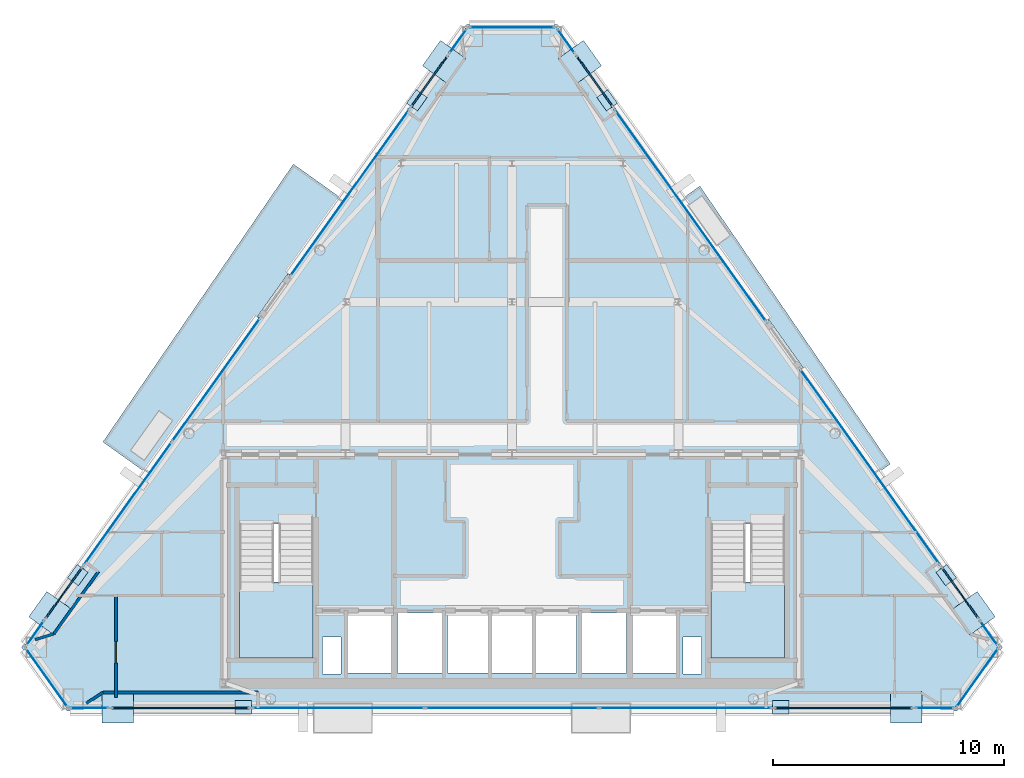
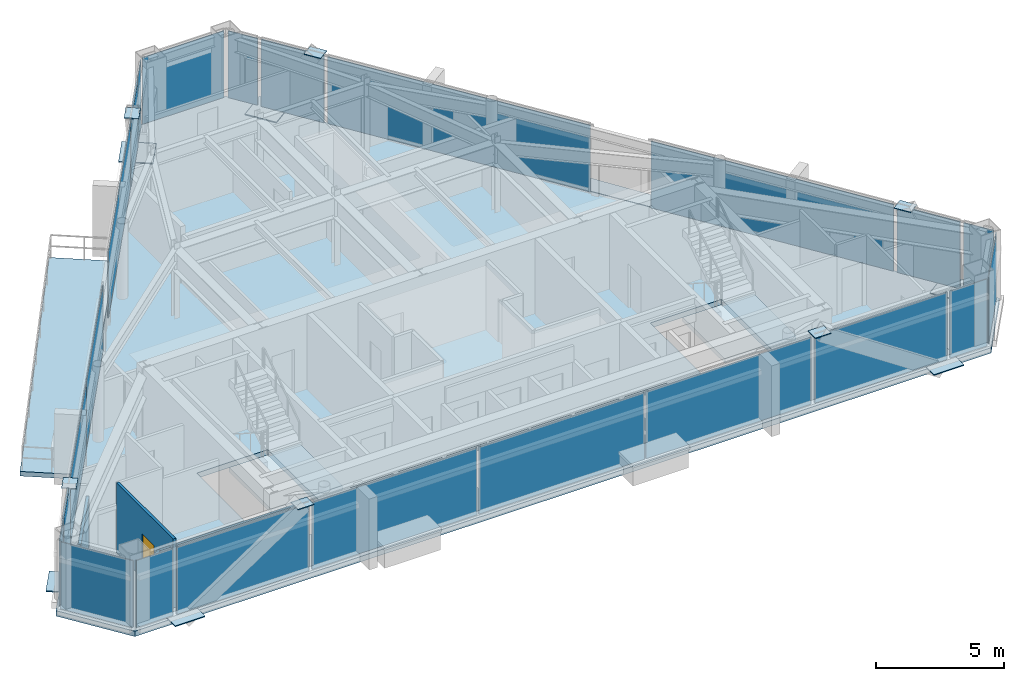
# One storey, part 7 of 12: 35 plates, 5 slabs, 5 walls, 1 door, 1 opening, 22 elements without a shape of their own.
"""IFC4 building model written with IfcOpenShell, lengths in metres."""

import ifcopenshell
import ifcopenshell.guid

model = None  # the IFC model being written
_history = None  # IfcOwnerHistory: only IFC2X3 demands one
_inside = {}  # id of a spatial element -> (the spatial element, [elements in it])
_under = {}  # id of a project, library or spatial element -> (it, [spatial elements below it])
_declared = {}  # id of a project -> (the project, [libraries it declares])
_typed = {}  # id of a type object -> (the type object, [elements of that type])
_made_of = {}  # id of a material, layer set ... -> (it, [elements and type objects made of it])


def new_model(schema):
    """Start an empty IFC model of exactly this schema.

    Asked for "IFC4X3", IfcOpenShell would pick the latest addendum, in which some entities
    have other attributes; the version numbers below select the first issue.
    IFC2X3 requires an IfcOwnerHistory on every rooted entity: one is made here for all.
    """
    global model, _history
    if schema == "IFC4X3":
        model = ifcopenshell.file(schema_version=(4, 3, 0, 0))
    else:
        model = ifcopenshell.file(schema=schema)
    _inside.clear()
    _under.clear()
    _declared.clear()
    _typed.clear()
    _made_of.clear()
    _history = None
    if model.schema == "IFC2X3":
        org = make("IfcOrganization", Name="unknown")
        user = make(
            "IfcPersonAndOrganization",
            ThePerson=make("IfcPerson", FamilyName="unknown"),
            TheOrganization=org,
        )
        app = make(
            "IfcApplication",
            ApplicationDeveloper=org,
            Version="unknown",
            ApplicationFullName="unknown",
            ApplicationIdentifier="unknown",
        )
        _history = make(
            "IfcOwnerHistory",
            OwningUser=user,
            OwningApplication=app,
            ChangeAction="ADDED",
            CreationDate=0,
        )
    return model


def make(cls, **values):
    """One entity of the class cls with the attributes given. An attribute that is None is left unset."""
    return model.create_entity(
        cls, **{name: value for name, value in values.items() if value is not None}
    )


def rooted(cls, **values):
    """An entity with a GlobalId (a new one), such as an element, a storey or a relation."""
    return make(cls, GlobalId=ifcopenshell.guid.new(), OwnerHistory=_history, **values)


def si_unit(unit_type, name, prefix=None):
    """IfcSIUnit, for example si_unit("LENGTHUNIT", "METRE", prefix="MILLI")."""
    return make("IfcSIUnit", UnitType=unit_type, Prefix=prefix, Name=name)


def assignment(units):
    """IfcUnitAssignment: the units of a project."""
    return None if units is None else make("IfcUnitAssignment", Units=units)


def point(xyz):
    """IfcCartesianPoint."""
    return None if xyz is None else make("IfcCartesianPoint", Coordinates=xyz)


def direction(xyz):
    """IfcDirection."""
    return None if xyz is None else make("IfcDirection", DirectionRatios=xyz)


def frame(location, z_axis=None, x_axis=None):
    """IfcAxis2Placement3D, a coordinate frame: its origin and axes. An axis left out is left unset."""
    return make(
        "IfcAxis2Placement3D",
        Location=point(location),
        Axis=direction(z_axis),
        RefDirection=direction(x_axis),
    )


def frame_2d(location, x_axis=None):
    """IfcAxis2Placement2D, a coordinate frame in the plane: its origin and x axis."""
    return make(
        "IfcAxis2Placement2D", Location=point(location), RefDirection=direction(x_axis)
    )


def origin():
    """The frame at (0, 0, 0) with its axes left unset."""
    return frame((0.0, 0.0, 0.0))


def origin_2d():
    """The frame at (0, 0) in the plane with its x axis left unset."""
    return frame_2d((0.0, 0.0))


def place(relative_to, where):
    """IfcLocalPlacement: puts the frame where relative to a parent placement (None: the world)."""
    return make(
        "IfcLocalPlacement", PlacementRelTo=relative_to, RelativePlacement=where
    )


def context(
    kind, dimensions, precision=None, world=None, true_north=None, identifier=None
):
    """IfcGeometricRepresentationContext, for example the 3D "Model" context."""
    return make(
        "IfcGeometricRepresentationContext",
        ContextIdentifier=identifier,
        ContextType=kind,
        CoordinateSpaceDimension=dimensions,
        Precision=precision,
        WorldCoordinateSystem=world,
        TrueNorth=true_north,
    )


def subcontext(parent, identifier, kind, view, scale=None):
    """IfcGeometricRepresentationSubContext, for example "Body" below "Model"."""
    return make(
        "IfcGeometricRepresentationSubContext",
        ContextIdentifier=identifier,
        ContextType=kind,
        ParentContext=parent,
        TargetScale=scale,
        TargetView=view,
    )


def project(units=None, contexts=None):
    """IfcProject with its units and contexts."""
    return rooted(
        "IfcProject",
        Name="project",
        RepresentationContexts=contexts,
        UnitsInContext=assignment(units),
    )


def spatial(cls, under=None, at=None, **own):
    """A site, building, storey or space (cls), placed at a placement, below another one or the project."""
    s = rooted(cls, ObjectPlacement=at, **own)
    if under is not None:
        _under.setdefault(under.id(), (under, []))[1].append(s)
    return s


def polyline(points):
    """IfcPolyline through the points."""
    return make("IfcPolyline", Points=[point(p) for p in points])


def profile(cls, at=None, kind="AREA", **sizes):
    """A parametric profile (cls). Its sizes go by their IFC names, for example OverallWidth=200.0."""
    return make(cls, ProfileType=kind, Position=at, **sizes)


def rectangle(**sizes):
    """IfcRectangleProfileDef."""
    return profile("IfcRectangleProfileDef", **sizes)


def outline(outer, holes=None, kind="AREA"):
    """IfcArbitraryClosedProfileDef: a profile drawn as a closed curve; with holes, ...WithVoids."""
    if holes is None:
        return make("IfcArbitraryClosedProfileDef", ProfileType=kind, OuterCurve=outer)
    return make(
        "IfcArbitraryProfileDefWithVoids",
        ProfileType=kind,
        OuterCurve=outer,
        InnerCurves=holes,
    )


def extrude(swept, where, along, depth):
    """IfcExtrudedAreaSolid: the profile swept, set in the frame where, extruded along a direction by depth."""
    return make(
        "IfcExtrudedAreaSolid",
        SweptArea=swept,
        Position=where,
        ExtrudedDirection=direction(along),
        Depth=depth,
    )


def shape(context_of_items, identifier, shape_type, items):
    """IfcShapeRepresentation: the items that make up one representation, for example the "Body"."""
    return make(
        "IfcShapeRepresentation",
        ContextOfItems=context_of_items,
        RepresentationIdentifier=identifier,
        RepresentationType=shape_type,
        Items=items,
    )


def source(mapping_origin, context_of_items, identifier, shape_type, items):
    """IfcRepresentationMap: a shape defined once, which mapped items show again and again."""
    return make(
        "IfcRepresentationMap",
        MappingOrigin=mapping_origin,
        MappedRepresentation=shape(context_of_items, identifier, shape_type, items),
    )


def transform(
    local_origin,
    x_axis=None,
    y_axis=None,
    z_axis=None,
    scale=None,
    scale2=None,
    scale3=None,
    uniform=True,
):
    """IfcCartesianTransformationOperator3D, or its non-uniform kind. x_axis, y_axis, z_axis: its Axis1, 2, 3."""
    if uniform:
        return make(
            "IfcCartesianTransformationOperator3D",
            Axis1=direction(x_axis),
            Axis2=direction(y_axis),
            LocalOrigin=point(local_origin),
            Scale=scale,
            Axis3=direction(z_axis),
        )
    return make(
        "IfcCartesianTransformationOperator3DnonUniform",
        Axis1=direction(x_axis),
        Axis2=direction(y_axis),
        LocalOrigin=point(local_origin),
        Scale=scale,
        Axis3=direction(z_axis),
        Scale2=scale2,
        Scale3=scale3,
    )


def mapped(mapping_source, mapping_target):
    """IfcMappedItem: shows the shape of a source again, moved by a transform."""
    return make(
        "IfcMappedItem", MappingSource=mapping_source, MappingTarget=mapping_target
    )


def material(Name=None, Category=None):
    """IfcMaterial."""
    return make("IfcMaterial", Name=Name, Category=Category)


def layer(
    of_material, thickness, ventilated=None, Name=None, Category=None, Priority=None
):
    """IfcMaterialLayer: one layer of a wall or slab, of a material (None: an air gap)."""
    return make(
        "IfcMaterialLayer",
        Material=of_material,
        LayerThickness=thickness,
        IsVentilated=ventilated,
        Name=Name,
        Category=Category,
        Priority=Priority,
    )


def layer_set(layers, Name=None):
    """IfcMaterialLayerSet."""
    return make("IfcMaterialLayerSet", MaterialLayers=layers, LayerSetName=Name)


def made_of(thing, what):
    """Note that an element or type object is made of a material, layer set ...; save() writes the relation."""
    if what is not None:
        _made_of.setdefault(what.id(), (what, []))[1].append(thing)
    return thing


def type_object(cls, material=None, **own):
    """A type object (cls), such as IfcWallType, which elements share."""
    return made_of(rooted(cls, **own), material)


def type_shapes(of_type, sources):
    """Give a type object the sources (RepresentationMaps) that its elements show as mapped items."""
    of_type.RepresentationMaps = sources


def element(
    cls,
    number,
    at=None,
    inside=None,
    cuts=None,
    type_object=None,
    material=None,
    context=None,
    identifier="Body",
    shape_type=None,
    held_by="IfcProductDefinitionShape",
    body=None,
    shapes=None,
    **own,
):
    """One element of the class cls, such as IfcWall. Its Tag is "e" and its number.

    at: its placement. inside: the storey or other place that contains it. cuts: it is an
    opening in that element (IfcRelVoidsElement). A single representation is given by context,
    identifier, shape_type and body (its items); several are given by shapes. held_by: the class
    of the entity that holds the representations. save() writes the other relations.
    """
    e = rooted(cls, Tag="e%d" % number, ObjectPlacement=at, **own)
    if body is not None:
        shapes = [shape(context, identifier, shape_type, body)]
    if shapes is not None:
        e.Representation = make(held_by, Representations=shapes)
    if inside is not None:
        _inside.setdefault(inside.id(), (inside, []))[1].append(e)
    if cuts is not None:
        rooted(
            "IfcRelVoidsElement", RelatingBuildingElement=cuts, RelatedOpeningElement=e
        )
    if type_object is not None:
        _typed.setdefault(type_object.id(), (type_object, []))[1].append(e)
    return made_of(e, material)


def fill(opening, filler):
    """IfcRelFillsElement: the door or window that sits in an opening."""
    return rooted(
        "IfcRelFillsElement",
        RelatingOpeningElement=opening,
        RelatedBuildingElement=filler,
    )


def aggregate(whole, parts):
    """IfcRelAggregates: a whole, such as a stair, and the parts it consists of."""
    return rooted("IfcRelAggregates", RelatingObject=whole, RelatedObjects=parts)


def save(model, path):
    """Write the relations noted so far, then the file.

    IfcRelAggregates (storeys below a building ...), IfcRelContainedInSpatialStructure (elements
    in a storey), IfcRelDefinesByType, IfcRelAssociatesMaterial and IfcRelDeclares: one each for
    every whole, place, type object, material and project.
    """
    for whole, parts in _under.values():
        aggregate(whole, parts)
    for where, things in _inside.values():
        rooted(
            "IfcRelContainedInSpatialStructure",
            RelatedElements=things,
            RelatingStructure=where,
        )
    for kind, things in _typed.values():
        rooted("IfcRelDefinesByType", RelatedObjects=things, RelatingType=kind)
    for what, things in _made_of.values():
        rooted("IfcRelAssociatesMaterial", RelatedObjects=things, RelatingMaterial=what)
    for by, libraries in _declared.values():
        rooted("IfcRelDeclares", RelatingContext=by, RelatedDefinitions=libraries)
    model.write(path)


model = new_model("IFC4")

# Units and contexts
model_context = context("Model", 3, precision=1e-05, world=origin(), true_north=direction((0.0, 1.0)))
body_context = subcontext(model_context, "Body", "Model", "MODEL_VIEW")
ifc_project = project(units=[si_unit("LENGTHUNIT", "METRE"), si_unit("AREAUNIT", "SQUARE_METRE"), si_unit("VOLUMEUNIT", "CUBIC_METRE"), si_unit("PLANEANGLEUNIT", "RADIAN"), si_unit("MASSUNIT", "GRAM", prefix="KILO")], contexts=[model_context])

# Site, building, storey
site_placement = place(None, origin())
site = spatial("IfcSite", under=ifc_project, at=site_placement, CompositionType="ELEMENT")
building_placement = place(site_placement, origin())
building = spatial("IfcBuilding", under=site, at=building_placement, Name="Talgorran Terracotta Tower", CompositionType="ELEMENT")
storey_placement = place(building_placement, frame((0.0, 0.0, 281.39990234375)))
storey = spatial("IfcBuildingStorey", under=building, at=storey_placement, Name="L74", CompositionType="ELEMENT", Elevation=281.39990234375)

# Plates
ifc_material_1 = material(Name="Steel Grade 350 (350L0)", Category="steel")
ifc_layer_1 = layer(ifc_material_1, 0.031982421875, Name="PL_CAP_MN07")
ifc_layer_set_1 = layer_set([ifc_layer_1], Name="Steel Grade 350 (350L0)")
plate_type_1 = type_object("IfcPlateType", Name="PL_CAP_MN07", PredefinedType="USERDEFINED", material=ifc_layer_set_1)
for number, where, z_axis, x_axis, name in (
    (1, (-11.6298828125, -15.134521484375, 3.2939453125), (0.0, 0.0, 1.0), (1.0, 0.0, 0.0), "L74 Diagonal Frame End Cap SWF Top"),
    (2, (11.6298828125, -15.134521484375, 3.2939453125), (0.0, 0.0, 1.0), (-1.0, 0.0, 0.0), "L74 Diagonal Frame End Cap SEF Top"),
    (3, (18.788330078125, -9.4169921875, 3.2939453125), (0.0, 0.0, 1.0), (-0.581271174002, 0.813709912852, 0.0), "L74 Diagonal Frame End Cap NEL Top"),
    (4, (4.115966796875, 11.123779296875, 3.2939453125), (0.0, 0.0, 1.0), (0.581271174002, -0.813709912852, 0.0), "L74 Diagonal Frame End Cap NEU Top"),
    (5, (-4.115966796875, 11.123779296875, 3.2939453125), (0.0, 0.0, 1.0), (-0.581271174002, -0.813709912852, 0.0), "L74 Diagonal Frame End Cap NWU Top"),
    (6, (-18.788330078125, -9.4169921875, 3.2939453125), (0.0, 0.0, 1.0), (0.581271174002, 0.813709912852, 0.0), "L74 Diagonal Frame End Cap NWL Top"),
):
    element("IfcPlate", number, at=place(storey_placement, frame(where, z_axis=z_axis, x_axis=x_axis)), inside=storey, type_object=plate_type_1, Name=name, ObjectType="CAP PLATE", PredefinedType="USERDEFINED", context=body_context, shape_type="SweptSolid", body=[
        extrude(rectangle(XDim=0.719970703125, YDim=0.580078125, at=origin_2d()), origin(), (0.0, 0.0, 1.0), 0.031982421875),
    ])
ifc_layer_2 = layer(ifc_material_1, 0.050048828125, Name="PL_NODE_MN03")
ifc_layer_set_2 = layer_set([ifc_layer_2], Name="Steel Grade 350 (350L0)")
plate_type_2 = type_object("IfcPlateType", Name="PL_NODE_MN03", PredefinedType="USERDEFINED", material=ifc_layer_set_2)
for number, where, z_axis, x_axis, name in (
    (7, (-17.061279296875, -15.134521484375, -0.01513671875), (0.0, 0.0, 1.0), (1.0, 0.0, 0.0), "L74 Diagonal Frame End Cap SWF Bot"),
    (8, (17.061279296875, -15.134521484375, -0.01513671875), (0.0, 0.0, 1.0), (-1.0, 0.0, 0.0), "L74 Diagonal Frame End Cap SEF Bot"),
    (9, (19.968505859375, -11.069091796875, -0.01513671875), (0.0, 0.0, 1.0), (-0.581271174002, 0.813709912852, 0.0), "L74 Diagonal Frame End Cap NEL Bot"),
    (10, (2.935791015625, 12.77587890625, -0.01513671875), (0.0, 0.0, 1.0), (0.581271174002, -0.813709912852, 0.0), "L74 Diagonal Frame End Cap NEU Bot"),
    (11, (-2.935791015625, 12.77587890625, -0.01513671875), (0.0, 0.0, 1.0), (-0.581271174002, -0.813709912852, 0.0), "L74 Diagonal Frame End Cap NWU Bot"),
    (12, (-19.968505859375, -11.069091796875, -0.01513671875), (0.0, 0.0, 1.0), (0.581271174002, 0.813709912852, 0.0), "L74 Diagonal Frame End Cap NWL Bot"),
):
    element("IfcPlate", number, at=place(storey_placement, frame(where, z_axis=z_axis, x_axis=x_axis)), inside=storey, type_object=plate_type_2, Name=name, ObjectType="NODE PLATE", PredefinedType="USERDEFINED", context=body_context, shape_type="SweptSolid", body=[
        extrude(rectangle(XDim=1.35009765625, YDim=1.35009765625, at=origin_2d()), origin(), (0.0, 0.0, 1.0), 0.050048828125),
    ])

# Slabs
ifc_material_2 = material(Name="Concrete C40/50", Category="concrete")
ifc_layer_3 = layer(ifc_material_2, 0.219970703125, Name="SL_BALCONY_220")
ifc_layer_set_3 = layer_set([ifc_layer_3], Name="Concrete C40/50")
slab_type_1 = type_object("IfcSlabType", Name="SL_BALCONY_220", PredefinedType="FLOOR", material=ifc_layer_set_3)
slab_1_placement = place(storey_placement, frame((0.0, 0.0, -0.219970703125)))
element("IfcSlab", 13, at=slab_1_placement, inside=storey, type_object=slab_type_1, Name="L74 Outdoor Wave Balcony BAL-NE", PredefinedType="FLOOR", context=body_context, shape_type="SweptSolid", body=[
    extrude(outline(polyline([(7.368408203125, 6.87158203125), (15.83935546875, -4.9873046875), (16.3681640625, -4.609619140625), (8.127197265625, 7.413818359375), (7.368408203125, 6.87158203125)])), origin(), (0.0, 0.0, 1.0), 0.219970703125),
])
slab_2_placement = place(storey_placement, frame((0.0, 0.0, -0.219970703125)))
element("IfcSlab", 14, at=slab_2_placement, inside=storey, type_object=slab_type_1, Name="L74 Outdoor Wave Balcony BAL-NW", PredefinedType="FLOOR", context=body_context, shape_type="SweptSolid", body=[
    extrude(outline(polyline([(-15.83935546875, -4.9873046875), (-7.368408203125, 6.87158203125), (-9.459716796875, 8.365478515625), (-17.70068359375, -3.657958984375), (-15.83935546875, -4.9873046875)])), origin(), (0.0, 0.0, 1.0), 0.219970703125),
])

# Stair, slab
stair_type = type_object("IfcStairType", Name="ST_FIRE_SCISSOR", PredefinedType="HALF_TURN_STAIR", material=ifc_material_2)
stair_1_placement = place(storey_placement, origin())
stair_1 = element("IfcStair", 15, at=stair_1_placement, inside=storey, type_object=stair_type, Name="L74 West Protected Fire Stair ST-01", PredefinedType="HALF_TURN_STAIR")
ifc_layer_4 = layer(ifc_material_2, 0.199951171875, Name="SL_LANDING_200")
ifc_layer_set_4 = layer_set([ifc_layer_4], Name="Concrete C40/50")
slab_type_2 = type_object("IfcSlabType", Name="SL_LANDING_200", PredefinedType="LANDING", material=ifc_layer_set_4)
slab_3_placement = place(storey_placement, frame((0.0, 0.0, 1.60009765625)))
slab_3 = element("IfcSlab", 16, at=slab_3_placement, type_object=slab_type_2, Name="ST-01 landing 1", PredefinedType="LANDING", context=body_context, shape_type="SweptSolid", body=[
    extrude(outline(polyline([(-11.800048828125, -9.719970703125), (-11.800048828125, -13.0), (-8.60009765625, -13.0), (-8.60009765625, -9.719970703125), (-11.800048828125, -9.719970703125)])), origin(), (0.0, 0.0, 1.0), 0.199951171875),
])
aggregate(stair_1, [slab_3])

stair_2_placement = place(storey_placement, origin())
stair_2 = element("IfcStair", 17, at=stair_2_placement, inside=storey, type_object=stair_type, Name="L74 East Protected Fire Stair ST-02", PredefinedType="HALF_TURN_STAIR")
slab_4_placement = place(storey_placement, frame((0.0, 0.0, 1.60009765625)))
slab_4 = element("IfcSlab", 18, at=slab_4_placement, type_object=slab_type_2, Name="ST-02 landing 1", PredefinedType="LANDING", context=body_context, shape_type="SweptSolid", body=[
    extrude(outline(polyline([(8.60009765625, -9.719970703125), (8.60009765625, -13.0), (11.800048828125, -13.0), (11.800048828125, -9.719970703125), (8.60009765625, -9.719970703125)])), origin(), (0.0, 0.0, 1.0), 0.199951171875),
])
aggregate(stair_2, [slab_4])

# Slab
ifc_layer_5 = layer(ifc_material_2, 0.2548828125, Name="SL_TOWER_235")
ifc_layer_set_5 = layer_set([ifc_layer_5], Name="Concrete C40/50")
slab_type_3 = type_object("IfcSlabType", Name="SL_TOWER_235", PredefinedType="FLOOR", material=ifc_layer_set_5)
slab_5_placement = place(storey_placement, frame((0.0, 0.0, -0.2548828125)))
element("IfcSlab", 19, at=slab_5_placement, inside=storey, type_object=slab_type_3, Name="Storey L74 Structural Floor Slab", PredefinedType="FLOOR", context=body_context, shape_type="SweptSolid", body=[
    extrude(outline(polyline([(-21.2177734375, -12.542724609375), (-19.252197265625, -15.29443359375), (19.252197265625, -15.29443359375), (21.2177734375, -12.542724609375), (1.965576171875, 14.409423828125), (-1.965576171875, 14.409423828125), (-21.2177734375, -12.542724609375)]), holes=[polyline([(-11.800048828125, -7.199951171875), (-11.800048828125, -13.0), (-8.60009765625, -13.0), (-8.60009765625, -7.199951171875), (-11.800048828125, -7.199951171875)]), polyline([(8.60009765625, -7.199951171875), (8.60009765625, -13.0), (11.800048828125, -13.0), (11.800048828125, -7.199951171875), (8.60009765625, -7.199951171875)]), polyline([(-7.10009765625, -13.64990234375), (-5.199951171875, -13.64990234375), (-5.199951171875, -11.050048828125), (-7.10009765625, -11.050048828125), (-7.10009765625, -13.64990234375)]), polyline([(5.199951171875, -13.64990234375), (7.10009765625, -13.64990234375), (7.10009765625, -11.050048828125), (5.199951171875, -11.050048828125), (5.199951171875, -13.64990234375)]), polyline([(3.0, -13.64990234375), (4.949951171875, -13.64990234375), (4.949951171875, -11.050048828125), (3.0, -11.050048828125), (3.0, -13.64990234375)]), polyline([(-4.949951171875, -13.64990234375), (-3.0, -13.64990234375), (-3.0, -11.050048828125), (-4.949951171875, -11.050048828125), (-4.949951171875, -13.64990234375)]), polyline([(-2.800048828125, -13.64990234375), (-1.0, -13.64990234375), (-1.0, -11.050048828125), (-2.800048828125, -11.050048828125), (-2.800048828125, -13.64990234375)]), polyline([(-0.89990234375, -13.64990234375), (0.89990234375, -13.64990234375), (0.89990234375, -11.050048828125), (-0.89990234375, -11.050048828125), (-0.89990234375, -13.64990234375)]), polyline([(1.0, -13.64990234375), (2.800048828125, -13.64990234375), (2.800048828125, -11.050048828125), (1.0, -11.050048828125), (1.0, -13.64990234375)]), polyline([(-8.199951171875, -13.699951171875), (-7.39990234375, -13.699951171875), (-7.39990234375, -12.10009765625), (-8.199951171875, -12.10009765625), (-8.199951171875, -13.699951171875)]), polyline([(7.39990234375, -13.699951171875), (8.199951171875, -13.699951171875), (8.199951171875, -12.10009765625), (7.39990234375, -12.10009765625), (7.39990234375, -13.699951171875)])]), origin(), (0.0, 0.0, 1.0), 0.2548828125),
])

# Curtain wall, plate
ifc_material_3 = material(Name="High-Wind Unitised Glazing", Category="glass")
ifc_layer_6 = layer(ifc_material_3, 0.2099609375, Name="CW_SYS3_RES_HIGH")
ifc_layer_set_6 = layer_set([ifc_layer_6], Name="High-Wind Unitised Glazing")
curtain_wall_type = type_object("IfcCurtainWallType", Name="CW_SYS3_RES_HIGH", PredefinedType="NOTDEFINED", material=ifc_layer_set_6)
curtain_wall_1_placement = place(storey_placement, origin())
curtain_wall_1 = element("IfcCurtainWall", 20, at=curtain_wall_1_placement, inside=storey, type_object=curtain_wall_type, Name="CW-L74-F0", PredefinedType="NOTDEFINED")
ifc_material_4 = material(Name="High-Wind Acoustic Vision Glass", Category="glass")
ifc_layer_7 = layer(ifc_material_4, 0.031982421875, Name="PLT_VISION_32")
ifc_layer_set_7 = layer_set([ifc_layer_7], Name="High-Wind Acoustic Vision Glass")
plate_type_3 = type_object("IfcPlateType", Name="PLT_VISION_32", PredefinedType="CURTAIN_PANEL", material=ifc_layer_set_7)
shared_shape_1 = source(origin(), body_context, "Body", "SweptSolid", [
    extrude(rectangle(XDim=3.093994140625, YDim=0.031982421875, at=origin_2d()), origin(), (0.0, 0.0, 1.0), 3.179931640625),
])
plate_1_placement = place(storey_placement, frame((-20.13037109375, -13.858642578125, 0.0703125), z_axis=(0.0, 0.0, 1.0), x_axis=(0.58125574343, -0.813720935413, 0.0)))
plate_1 = element("IfcPlate", 21, at=plate_1_placement, type_object=plate_type_3, Name="CW-L74-0 panel 1.1", PredefinedType="CURTAIN_PANEL", context=body_context, shape_type="MappedRepresentation", body=[
    mapped(shared_shape_1, transform((0.0, 0.0, 0.0), scale=1.0)),
])
aggregate(curtain_wall_1, [plate_1])

curtain_wall_2_placement = place(storey_placement, origin())
curtain_wall_2 = element("IfcCurtainWall", 22, at=curtain_wall_2_placement, inside=storey, type_object=curtain_wall_type, Name="CW-L74-F2", PredefinedType="NOTDEFINED")
plate_2_placement = place(storey_placement, frame((20.13037109375, -13.858642578125, 0.0703125), z_axis=(0.0, 0.0, 1.0), x_axis=(0.58125574343, 0.813720935413, 0.0)))
plate_2 = element("IfcPlate", 23, at=plate_2_placement, type_object=plate_type_3, Name="CW-L74-2 panel 1.1", PredefinedType="CURTAIN_PANEL", context=body_context, shape_type="MappedRepresentation", body=[
    mapped(shared_shape_1, transform((0.0, 0.0, 0.0), scale=1.0)),
])
aggregate(curtain_wall_2, [plate_2])

curtain_wall_3_placement = place(storey_placement, origin())
curtain_wall_3 = element("IfcCurtainWall", 24, at=curtain_wall_3_placement, inside=storey, type_object=curtain_wall_type, Name="CW-L74-F1", PredefinedType="NOTDEFINED")
shared_shape_2 = source(origin(), body_context, "Body", "SweptSolid", [
    extrude(rectangle(XDim=1.65185546875, YDim=0.031982421875, at=origin_2d()), origin(), (0.0, 0.0, 1.0), 3.179931640625),
])
plate_3_placement = place(storey_placement, frame((-18.294677734375, -15.17431640625, 0.0703125), z_axis=(0.0, 0.0, 1.0), x_axis=(1.0, 0.0, 0.0)))
plate_3 = element("IfcPlate", 25, at=plate_3_placement, type_object=plate_type_3, Name="CW-L74-1 panel 1.1", PredefinedType="CURTAIN_PANEL", context=body_context, shape_type="MappedRepresentation", body=[
    mapped(shared_shape_2, transform((0.0, 0.0, 0.0), scale=1.0)),
])
aggregate(curtain_wall_3, [plate_3])

curtain_wall_4_placement = place(storey_placement, origin())
curtain_wall_4 = element("IfcCurtainWall", 26, at=curtain_wall_4_placement, inside=storey, type_object=curtain_wall_type, Name="CW-L74-F1E", PredefinedType="NOTDEFINED")
plate_4_placement = place(storey_placement, frame((18.294677734375, -15.17431640625, 0.0703125), z_axis=(0.0, 0.0, 1.0), x_axis=(1.0, 0.0, 0.0)))
plate_4 = element("IfcPlate", 27, at=plate_4_placement, type_object=plate_type_3, Name="CW-L74-1E panel 1.1", PredefinedType="CURTAIN_PANEL", context=body_context, shape_type="MappedRepresentation", body=[
    mapped(shared_shape_2, transform((0.0, 0.0, 0.0), scale=1.0)),
])
aggregate(curtain_wall_4, [plate_4])

curtain_wall_5_placement = place(storey_placement, origin())
curtain_wall_5 = element("IfcCurtainWall", 28, at=curtain_wall_5_placement, inside=storey, type_object=curtain_wall_type, Name="CW-L74-F1B", PredefinedType="NOTDEFINED")
ifc_material_5 = material(Name="Terracotta Insulated Spandrel", Category="masonry")
ifc_layer_8 = layer(ifc_material_5, 0.06494140625, Name="PLT_SPANDREL_TERRA")
ifc_layer_set_8 = layer_set([ifc_layer_8], Name="Terracotta Insulated Spandrel")
plate_type_4 = type_object("IfcPlateType", Name="PLT_SPANDREL_TERRA", PredefinedType="SHEET", material=ifc_layer_set_8)
shared_shape_3 = source(origin(), body_context, "Body", "SweptSolid", [
    extrude(rectangle(XDim=5.947021484375, YDim=0.06494140625, at=origin_2d()), origin(), (0.0, 0.0, 1.0), 3.179931640625),
])
plate_5_placement = place(storey_placement, frame((-14.34521484375, -15.17431640625, 0.0703125), z_axis=(0.0, 0.0, 1.0), x_axis=(1.0, 0.0, 0.0)))
plate_5 = element("IfcPlate", 29, at=plate_5_placement, type_object=plate_type_4, Name="CW-L74-1B panel 1.1", PredefinedType="CURTAIN_PANEL", context=body_context, shape_type="MappedRepresentation", body=[
    mapped(shared_shape_3, transform((0.0, 0.0, 0.0), scale=1.0)),
])
aggregate(curtain_wall_5, [plate_5])

curtain_wall_6_placement = place(storey_placement, origin())
curtain_wall_6 = element("IfcCurtainWall", 30, at=curtain_wall_6_placement, inside=storey, type_object=curtain_wall_type, Name="CW-L74-F1D", PredefinedType="NOTDEFINED")
plate_6_placement = place(storey_placement, frame((14.34521484375, -15.17431640625, 0.0703125), z_axis=(0.0, 0.0, 1.0), x_axis=(1.0, 0.0, 0.0)))
plate_6 = element("IfcPlate", 31, at=plate_6_placement, type_object=plate_type_4, Name="CW-L74-1D panel 1.1", PredefinedType="CURTAIN_PANEL", context=body_context, shape_type="MappedRepresentation", body=[
    mapped(shared_shape_3, transform((0.0, 0.0, 0.0), scale=1.0)),
])
aggregate(curtain_wall_6, [plate_6])

# Curtain wall, plates
curtain_wall_7_placement = place(storey_placement, origin())
curtain_wall_7 = element("IfcCurtainWall", 32, at=curtain_wall_7_placement, inside=storey, type_object=curtain_wall_type, Name="CW-L74-F1C", PredefinedType="NOTDEFINED")
shared_shape_4 = source(origin(), body_context, "Body", "SweptSolid", [
    extrude(rectangle(XDim=7.4228515625, YDim=0.031982421875, at=origin_2d()), origin(), (0.0, 0.0, 1.0), 3.179931640625),
])
plate_7_placement = place(storey_placement, frame((-7.51025390625, -15.17431640625, 0.0703125), z_axis=(0.0, 0.0, 1.0), x_axis=(1.0, 0.0, 0.0)))
plate_7 = element("IfcPlate", 33, at=plate_7_placement, type_object=plate_type_3, Name="CW-L74-1C panel 1.1", PredefinedType="CURTAIN_PANEL", context=body_context, shape_type="MappedRepresentation", body=[
    mapped(shared_shape_4, transform((0.0, 0.0, 0.0), scale=1.0)),
])
plate_8_placement = place(storey_placement, frame((7.51025390625, -15.17431640625, 0.0703125), z_axis=(0.0, 0.0, 1.0), x_axis=(1.0, 0.0, 0.0)))
plate_8 = element("IfcPlate", 34, at=plate_8_placement, type_object=plate_type_3, Name="CW-L74-1C panel 3.1", PredefinedType="CURTAIN_PANEL", context=body_context, shape_type="MappedRepresentation", body=[
    mapped(shared_shape_4, transform((0.0, 0.0, 0.0), scale=1.0)),
])
shared_shape_5 = source(origin(), body_context, "Body", "SweptSolid", [
    extrude(rectangle(XDim=7.457763671875, YDim=0.031982421875, at=origin_2d()), origin(), (0.0, 0.0, 1.0), 3.179931640625),
])
plate_9_placement = place(storey_placement, frame((0.0, -15.17431640625, 0.0703125), z_axis=(0.0, 0.0, 1.0), x_axis=(1.0, 0.0, 0.0)))
plate_9 = element("IfcPlate", 35, at=plate_9_placement, type_object=plate_type_3, Name="CW-L74-1C panel 2.1", PredefinedType="CURTAIN_PANEL", context=body_context, shape_type="MappedRepresentation", body=[
    mapped(shared_shape_5, transform((0.0, 0.0, 0.0), scale=1.0)),
])
aggregate(curtain_wall_7, [plate_7, plate_9, plate_8])

# Curtain wall, plate
curtain_wall_8_placement = place(storey_placement, origin())
curtain_wall_8 = element("IfcCurtainWall", 36, at=curtain_wall_8_placement, inside=storey, type_object=curtain_wall_type, Name="CW-L74-F40", PredefinedType="NOTDEFINED")
shared_shape_6 = source(origin(), body_context, "Body", "SweptSolid", [
    extrude(rectangle(XDim=1.2802734375, YDim=0.031982421875, at=origin_2d()), origin(), (0.0, 0.0, 1.0), 3.179931640625),
])
plate_10_placement = place(storey_placement, frame((20.63427734375, -11.932373046875, 0.0703125), z_axis=(0.0, 0.0, 1.0), x_axis=(-0.581251513224, 0.81372395711, 0.0)))
plate_10 = element("IfcPlate", 37, at=plate_10_placement, type_object=plate_type_3, Name="CW-L74-40 panel 1.1", PredefinedType="CURTAIN_PANEL", context=body_context, shape_type="MappedRepresentation", body=[
    mapped(shared_shape_6, transform((0.0, 0.0, 0.0), scale=1.0)),
])
aggregate(curtain_wall_8, [plate_10])

curtain_wall_9_placement = place(storey_placement, origin())
curtain_wall_9 = element("IfcCurtainWall", 38, at=curtain_wall_9_placement, inside=storey, type_object=curtain_wall_type, Name="CW-L74-F61C", PredefinedType="NOTDEFINED")
plate_11_placement = place(storey_placement, frame((-20.63427734375, -11.932373046875, 0.0703125), z_axis=(0.0, 0.0, 1.0), x_axis=(-0.581251513224, -0.81372395711, 0.0)))
plate_11 = element("IfcPlate", 39, at=plate_11_placement, type_object=plate_type_3, Name="CW-L74-61C panel 1.1", PredefinedType="CURTAIN_PANEL", context=body_context, shape_type="MappedRepresentation", body=[
    mapped(shared_shape_6, transform((0.0, 0.0, 0.0), scale=1.0)),
])
aggregate(curtain_wall_9, [plate_11])

curtain_wall_10_placement = place(storey_placement, origin())
curtain_wall_10 = element("IfcCurtainWall", 40, at=curtain_wall_10_placement, inside=storey, type_object=curtain_wall_type, Name="CW-L74-F40B", PredefinedType="NOTDEFINED")
shared_shape_7 = source(origin(), body_context, "Body", "SweptSolid", [
    extrude(rectangle(XDim=2.6923828125, YDim=0.06494140625, at=origin_2d()), origin(), (0.0, 0.0, 1.0), 3.179931640625),
])
type_shapes(plate_type_4, [shared_shape_3, shared_shape_7])
plate_12_placement = place(storey_placement, frame((19.392333984375, -10.194091796875, 0.0703125), z_axis=(0.0, 0.0, 1.0), x_axis=(-0.581241533463, 0.813731085665, 0.0)))
plate_12 = element("IfcPlate", 41, at=plate_12_placement, type_object=plate_type_4, Name="CW-L74-40B panel 1.1", PredefinedType="CURTAIN_PANEL", context=body_context, shape_type="MappedRepresentation", body=[
    mapped(shared_shape_7, transform((0.0, 0.0, 0.0), scale=1.0)),
])
aggregate(curtain_wall_10, [plate_12])

curtain_wall_11_placement = place(storey_placement, origin())
curtain_wall_11 = element("IfcCurtainWall", 42, at=curtain_wall_11_placement, inside=storey, type_object=curtain_wall_type, Name="CW-L74-F41B", PredefinedType="NOTDEFINED")
plate_13_placement = place(storey_placement, frame((3.576904296875, 11.947021484375, 0.0703125), z_axis=(0.0, 0.0, 1.0), x_axis=(-0.581241533463, 0.813731085665, 0.0)))
plate_13 = element("IfcPlate", 43, at=plate_13_placement, type_object=plate_type_4, Name="CW-L74-41B panel 1.1", PredefinedType="CURTAIN_PANEL", context=body_context, shape_type="MappedRepresentation", body=[
    mapped(shared_shape_7, transform((0.0, 0.0, 0.0), scale=1.0)),
])
aggregate(curtain_wall_11, [plate_13])

curtain_wall_12_placement = place(storey_placement, origin())
curtain_wall_12 = element("IfcCurtainWall", 44, at=curtain_wall_12_placement, inside=storey, type_object=curtain_wall_type, Name="CW-L74-F60B", PredefinedType="NOTDEFINED")
plate_14_placement = place(storey_placement, frame((-3.576904296875, 11.947021484375, 0.0703125), z_axis=(0.0, 0.0, 1.0), x_axis=(-0.581241533463, -0.813731085665, 0.0)))
plate_14 = element("IfcPlate", 45, at=plate_14_placement, type_object=plate_type_4, Name="CW-L74-60B panel 1.1", PredefinedType="CURTAIN_PANEL", context=body_context, shape_type="MappedRepresentation", body=[
    mapped(shared_shape_7, transform((0.0, 0.0, 0.0), scale=1.0)),
])
aggregate(curtain_wall_12, [plate_14])

curtain_wall_13_placement = place(storey_placement, origin())
curtain_wall_13 = element("IfcCurtainWall", 46, at=curtain_wall_13_placement, inside=storey, type_object=curtain_wall_type, Name="CW-L74-F61B", PredefinedType="NOTDEFINED")
plate_15_placement = place(storey_placement, frame((-19.392333984375, -10.194091796875, 0.0703125), z_axis=(0.0, 0.0, 1.0), x_axis=(-0.581241533463, -0.813731085665, 0.0)))
plate_15 = element("IfcPlate", 47, at=plate_15_placement, type_object=plate_type_4, Name="CW-L74-61B panel 1.1", PredefinedType="CURTAIN_PANEL", context=body_context, shape_type="MappedRepresentation", body=[
    mapped(shared_shape_7, transform((0.0, 0.0, 0.0), scale=1.0)),
])
aggregate(curtain_wall_13, [plate_15])

curtain_wall_14_placement = place(storey_placement, origin())
curtain_wall_14 = element("IfcCurtainWall", 48, at=curtain_wall_14_placement, inside=storey, type_object=curtain_wall_type, Name="CW-L74-F40C", PredefinedType="NOTDEFINED")
shared_shape_8 = source(origin(), body_context, "Body", "SweptSolid", [
    extrude(rectangle(XDim=10.372802734375, YDim=0.031982421875, at=origin_2d()), origin(), (0.0, 0.0, 1.0), 3.179931640625),
])
plate_16_placement = place(storey_placement, frame((15.50830078125, -4.756103515625, 0.0703125), z_axis=(0.0, 0.0, 1.0), x_axis=(-0.58124899123, 0.813725758591, 0.0)))
plate_16 = element("IfcPlate", 49, at=plate_16_placement, type_object=plate_type_3, Name="CW-L74-40C panel 1.1", PredefinedType="CURTAIN_PANEL", context=body_context, shape_type="MappedRepresentation", body=[
    mapped(shared_shape_8, transform((0.0, 0.0, 0.0), scale=1.0)),
])
aggregate(curtain_wall_14, [plate_16])

curtain_wall_15_placement = place(storey_placement, origin())
curtain_wall_15 = element("IfcCurtainWall", 50, at=curtain_wall_15_placement, inside=storey, type_object=curtain_wall_type, Name="CW-L74-F41", PredefinedType="NOTDEFINED")
shared_shape_9 = source(origin(), body_context, "Body", "SweptSolid", [
    extrude(rectangle(XDim=11.244384765625, YDim=0.031982421875, at=origin_2d()), origin(), (0.0, 0.0, 1.0), 3.179931640625),
])
plate_17_placement = place(storey_placement, frame((7.71435546875, 6.15478515625, 0.0703125), z_axis=(0.0, 0.0, 1.0), x_axis=(-0.581248164733, 0.813726348962, 0.0)))
plate_17 = element("IfcPlate", 51, at=plate_17_placement, type_object=plate_type_3, Name="CW-L74-41 panel 1.1", PredefinedType="CURTAIN_PANEL", context=body_context, shape_type="MappedRepresentation", body=[
    mapped(shared_shape_9, transform((0.0, 0.0, 0.0), scale=1.0)),
])
aggregate(curtain_wall_15, [plate_17])

curtain_wall_16_placement = place(storey_placement, origin())
curtain_wall_16 = element("IfcCurtainWall", 52, at=curtain_wall_16_placement, inside=storey, type_object=curtain_wall_type, Name="CW-L74-F41C", PredefinedType="NOTDEFINED")
shared_shape_10 = source(origin(), body_context, "Body", "SweptSolid", [
    extrude(rectangle(XDim=1.2724609375, YDim=0.031982421875, at=origin_2d()), origin(), (0.0, 0.0, 1.0), 3.179931640625),
])
plate_18_placement = place(storey_placement, frame((2.33740234375, 13.682373046875, 0.0703125), z_axis=(0.0, 0.0, 1.0), x_axis=(-0.581271679931, 0.813709551443, 0.0)))
plate_18 = element("IfcPlate", 53, at=plate_18_placement, type_object=plate_type_3, Name="CW-L74-41C panel 1.1", PredefinedType="CURTAIN_PANEL", context=body_context, shape_type="MappedRepresentation", body=[
    mapped(shared_shape_10, transform((0.0, 0.0, 0.0), scale=1.0)),
])
aggregate(curtain_wall_16, [plate_18])

curtain_wall_17_placement = place(storey_placement, origin())
curtain_wall_17 = element("IfcCurtainWall", 54, at=curtain_wall_17_placement, inside=storey, type_object=curtain_wall_type, Name="CW-L74-F60", PredefinedType="NOTDEFINED")
plate_19_placement = place(storey_placement, frame((-2.33740234375, 13.682373046875, 0.0703125), z_axis=(0.0, 0.0, 1.0), x_axis=(-0.581238193719, -0.813733471206, 0.0)))
plate_19 = element("IfcPlate", 55, at=plate_19_placement, type_object=plate_type_3, Name="CW-L74-60 panel 1.1", PredefinedType="CURTAIN_PANEL", context=body_context, shape_type="MappedRepresentation", body=[
    mapped(shared_shape_10, transform((0.0, 0.0, 0.0), scale=1.0)),
])
aggregate(curtain_wall_17, [plate_19])

curtain_wall_18_placement = place(storey_placement, origin())
curtain_wall_18 = element("IfcCurtainWall", 56, at=curtain_wall_18_placement, inside=storey, type_object=curtain_wall_type, Name="CW-L74-F4", PredefinedType="NOTDEFINED")
shared_shape_11 = source(origin(), body_context, "Body", "SweptSolid", [
    extrude(rectangle(XDim=3.66748046875, YDim=0.031982421875, at=origin_2d()), origin(), (0.0, 0.0, 1.0), 3.179931640625),
])
plate_20_placement = place(storey_placement, frame((0.0, 14.28955078125, 0.0703125), z_axis=(0.0, 0.0, 1.0), x_axis=(-1.0, 0.0, 0.0)))
plate_20 = element("IfcPlate", 57, at=plate_20_placement, type_object=plate_type_3, Name="CW-L74-4 panel 1.1", PredefinedType="CURTAIN_PANEL", context=body_context, shape_type="MappedRepresentation", body=[
    mapped(shared_shape_11, transform((0.0, 0.0, 0.0), scale=1.0)),
])
aggregate(curtain_wall_18, [plate_20])

curtain_wall_19_placement = place(storey_placement, origin())
curtain_wall_19 = element("IfcCurtainWall", 58, at=curtain_wall_19_placement, inside=storey, type_object=curtain_wall_type, Name="CW-L74-F60C", PredefinedType="NOTDEFINED")
shared_shape_12 = source(origin(), body_context, "Body", "SweptSolid", [
    extrude(rectangle(XDim=8.826171875, YDim=0.031982421875, at=origin_2d()), origin(), (0.0, 0.0, 1.0), 3.179931640625),
])
plate_21_placement = place(storey_placement, frame((-7.01171875, 7.138671875, 0.0703125), z_axis=(0.0, 0.0, 1.0), x_axis=(-0.581245578736, -0.813728196144, 0.0)))
plate_21 = element("IfcPlate", 59, at=plate_21_placement, type_object=plate_type_3, Name="CW-L74-60C panel 1.1", PredefinedType="CURTAIN_PANEL", context=body_context, shape_type="MappedRepresentation", body=[
    mapped(shared_shape_12, transform((0.0, 0.0, 0.0), scale=1.0)),
])
aggregate(curtain_wall_19, [plate_21])

# Curtain wall, plates
curtain_wall_20_placement = place(storey_placement, origin())
curtain_wall_20 = element("IfcCurtainWall", 60, at=curtain_wall_20_placement, inside=storey, type_object=curtain_wall_type, Name="CW-L74-F61", PredefinedType="NOTDEFINED")
shared_shape_13 = source(origin(), body_context, "Body", "SweptSolid", [
    extrude(rectangle(XDim=6.510498046875, YDim=0.031982421875, at=origin_2d()), origin(), (0.0, 0.0, 1.0), 3.179931640625),
])
type_shapes(plate_type_3, [shared_shape_1, shared_shape_2, shared_shape_4, shared_shape_5, shared_shape_6, shared_shape_8, shared_shape_9, shared_shape_10, shared_shape_11, shared_shape_12, shared_shape_13])
plate_22_placement = place(storey_placement, frame((-12.805908203125, -0.972900390625, 0.0703125), z_axis=(0.0, 0.0, 1.0), x_axis=(-0.581247488097, -0.813726832285, 0.0)))
plate_22 = element("IfcPlate", 61, at=plate_22_placement, type_object=plate_type_3, Name="CW-L74-61 panel 1.1", PredefinedType="CURTAIN_PANEL", context=body_context, shape_type="MappedRepresentation", body=[
    mapped(shared_shape_13, transform((0.0, 0.0, 0.0), scale=1.0)),
])
plate_23_placement = place(storey_placement, frame((-16.630615234375, -6.32763671875, 0.0703125), z_axis=(0.0, 0.0, 1.0), x_axis=(-0.581247488097, -0.813726832285, 0.0)))
plate_23 = element("IfcPlate", 62, at=plate_23_placement, type_object=plate_type_3, Name="CW-L74-61 panel 2.1", PredefinedType="CURTAIN_PANEL", context=body_context, shape_type="MappedRepresentation", body=[
    mapped(shared_shape_13, transform((0.0, 0.0, 0.0), scale=1.0)),
])
aggregate(curtain_wall_20, [plate_22, plate_23])

# Wall
ifc_material_6 = material(Name="Insulated Steel Stud Plasterboard", Category="steel")
ifc_layer_9 = layer(ifc_material_6, 0.1201171875, Name="WT_PART_120")
ifc_layer_set_9 = layer_set([ifc_layer_9], Name="Insulated Steel Stud Plasterboard")
wall_type = type_object("IfcWallType", Name="WT_PART_120", PredefinedType="PARTITIONING", material=ifc_layer_set_9)
wall_1_placement = place(storey_placement, frame((-17.701416015625, -14.494384765625, 0.0), z_axis=(0.0, 0.0, 1.0), x_axis=(1.0, 0.0, 0.0)))
element("IfcWall", 63, at=wall_1_placement, inside=storey, type_object=wall_type, Name="WL-L74-BW-L74-01", PredefinedType="PARTITIONING", context=body_context, shape_type="SweptSolid", body=[
    extrude(rectangle(XDim=6.711669921875, YDim=0.1201171875, at=frame_2d((3.35595703125, 0.0))), origin(), (0.0, 0.0, 1.0), 2.838134765625),
])

# Wall, opening, door
wall_2_placement = place(storey_placement, frame((-17.139892578125, -14.719970703125, 0.0), z_axis=(0.0, 0.0, 1.0), x_axis=(0.0, 1.0, 0.0)))
wall_2 = element("IfcWall", 64, at=wall_2_placement, inside=storey, type_object=wall_type, Name="WL-L74-W-L74-R19", PredefinedType="PARTITIONING", context=body_context, shape_type="SweptSolid", body=[
    extrude(rectangle(XDim=4.419921875, YDim=0.1201171875, at=frame_2d((2.2099609375, 0.0))), origin(), (0.0, 0.0, 1.0), 3.320068359375),
])
opening_placement = place(wall_2_placement, frame((1.5, 0.0, 0.0)))
opening = element("IfcOpeningElement", 65, at=opening_placement, cuts=wall_2, Name="Opening DR-L74-R05", PredefinedType="OPENING", context=body_context, shape_type="SweptSolid", body=[
    extrude(rectangle(XDim=0.925921875, YDim=2.10409765625, at=frame_2d((0.4599609375, 1.052001953125))), frame((0.0, 0.070068359375, 0.0), z_axis=(0.0, -1.0, 0.0), x_axis=(1.0, 0.0, 0.0)), (0.0, 0.0, 1.0), 0.14013671875),
])
ifc_material_7 = material(Name="Solid-Core Painted Timber", Category="wood")
door_type = type_object("IfcDoorType", Name="DT_INT_920", OperationType="NOTDEFINED", PredefinedType="DOOR", material=ifc_material_7)
door_placement = place(opening_placement, origin())
door = element("IfcDoor", 66, at=door_placement, inside=storey, type_object=door_type, Name="DR-L74-R05", OperationType="SINGLE_SWING_LEFT", OverallHeight=2.10009765625, OverallWidth=0.919921875, PredefinedType="DOOR", context=body_context, shape_type="SweptSolid", body=[
    extrude(rectangle(XDim=0.919921875, YDim=2.10009765625, at=frame_2d((0.4599609375, 1.050048828125))), frame((0.0, 0.02490234375, 0.0), z_axis=(0.0, -1.0, 0.0), x_axis=(1.0, 0.0, 0.0)), (0.0, 0.0, 1.0), 0.050048828125),
])
fill(opening, door)

# Walls
wall_3_placement = place(storey_placement, frame((-17.8955078125, -9.268310546875, 0.0), z_axis=(0.0, 0.0, 1.0), x_axis=(-0.581300979527, -0.813688620543, 0.0)))
element("IfcWall", 67, at=wall_3_placement, inside=storey, type_object=wall_type, Name="WL-L74-BW-L74-08", PredefinedType="PARTITIONING", context=body_context, shape_type="SweptSolid", body=[
    extrude(rectangle(XDim=3.310302734375, YDim=0.1201171875, at=frame_2d((1.6552734375, 0.0))), origin(), (0.0, 0.0, 1.0), 2.295166015625),
])
wall_4_placement = place(storey_placement, frame((-18.41552734375, -14.96484375, 0.0), z_axis=(0.0, 0.0, 1.0), x_axis=(0.83506849916, 0.550145982182, 0.0)))
element("IfcWall", 68, at=wall_4_placement, inside=storey, type_object=wall_type, Name="WL-L74-BW-L74-03", PredefinedType="PARTITIONING", context=body_context, shape_type="SweptSolid", body=[
    extrude(rectangle(XDim=0.855224609375, YDim=0.1201171875, at=frame_2d((0.427734375, 0.0))), origin(), (0.0, 0.0, 1.0), 2.838134765625),
])
wall_5_placement = place(storey_placement, frame((-19.81982421875, -11.9619140625, 0.0), z_axis=(0.0, 0.0, 1.0), x_axis=(-0.956124750871, -0.292959827915, 0.0)))
element("IfcWall", 69, at=wall_5_placement, inside=storey, type_object=wall_type, Name="WL-L74-BW-L74-09", PredefinedType="PARTITIONING", context=body_context, shape_type="SweptSolid", body=[
    extrude(rectangle(XDim=0.853271484375, YDim=0.1201171875, at=frame_2d((0.4267578125, 0.0))), origin(), (0.0, 0.0, 1.0), 2.295166015625),
])

save(model, "model.ifc")
